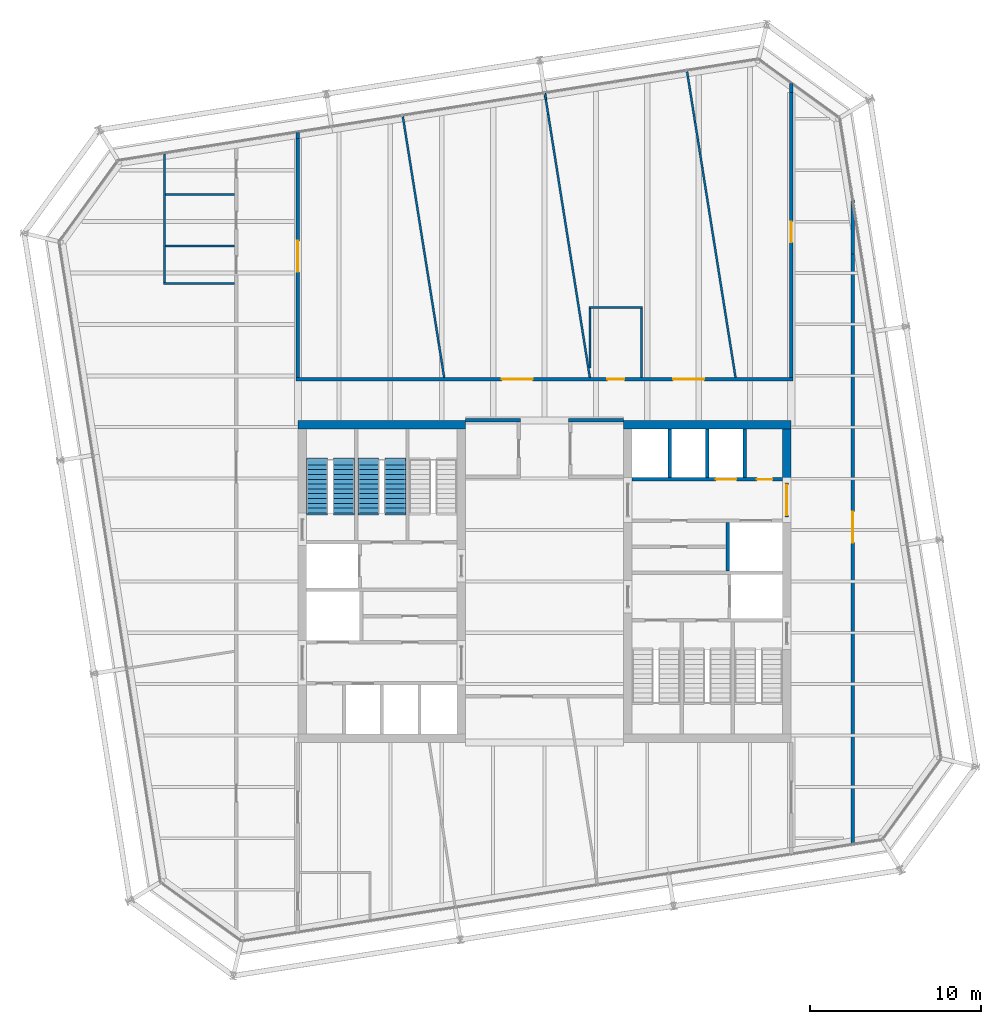
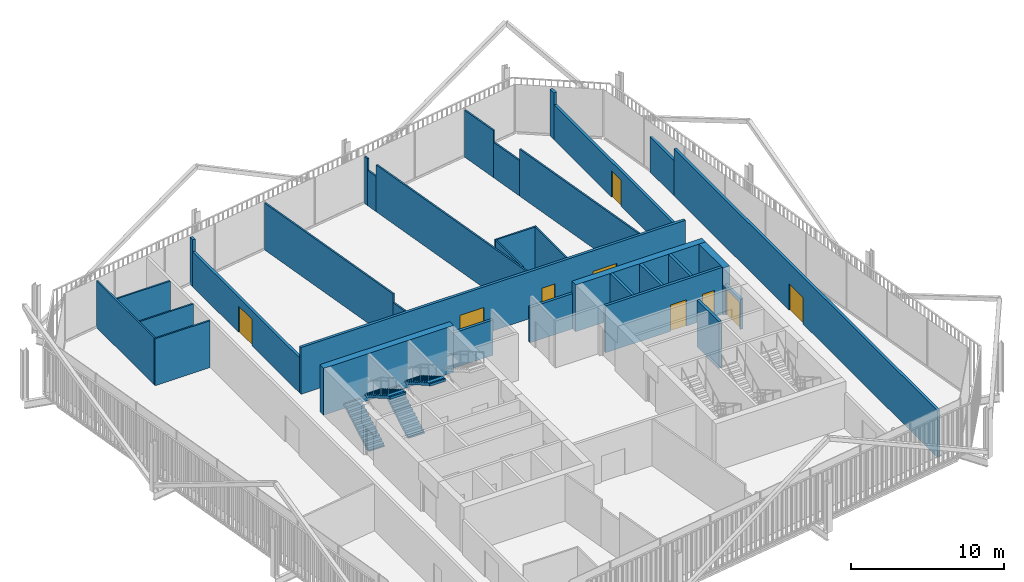
# One storey, part 19 of 21: 33 walls, 9 doors, 4 stair flights, 9 openings, 2 elements without a shape of their own.
"""IFC4 building model written with IfcOpenShell, lengths in metres."""

from ifc_helpers import new_model, si_unit, direction, frame, frame_2d, origin, place, context, subcontext, project, spatial, polyline, rectangle, outline, extrude, material, layer, layer_set, type_object, element, fill, aggregate, save


model = new_model("IFC4")

# Units and contexts
model_context = context("Model", 3, precision=1e-05, world=origin(), true_north=direction((0.0, 1.0)))
body_context = subcontext(model_context, "Body", "Model", "MODEL_VIEW")
ifc_project = project(units=[si_unit("LENGTHUNIT", "METRE"), si_unit("AREAUNIT", "SQUARE_METRE"), si_unit("VOLUMEUNIT", "CUBIC_METRE"), si_unit("PLANEANGLEUNIT", "RADIAN"), si_unit("MASSUNIT", "GRAM", prefix="KILO")], contexts=[model_context])

# Site, building, storey
site_placement = place(None, origin())
site = spatial("IfcSite", under=ifc_project, at=site_placement, CompositionType="ELEMENT")
building_placement = place(site_placement, origin())
building = spatial("IfcBuilding", under=site, at=building_placement, Name="Millrace Tower", CompositionType="ELEMENT")
storey_placement = place(building_placement, frame((0.0, 0.0, 255.199951171875)))
storey = spatial("IfcBuildingStorey", under=building, at=storey_placement, Name="L58", CompositionType="ELEMENT", Elevation=255.199951171875)

# Walls
ifc_material_1 = material(Name="Concrete C60", Category="concrete")
ifc_layer_1 = layer(ifc_material_1, 0.5)
ifc_layer_set_1 = layer_set([ifc_layer_1], Name="Concrete C60")
wall_type_1 = type_object("IfcWallType", Name="Core wall 500 Concrete C60", PredefinedType="SHEAR", material=ifc_layer_set_1)
for number, where, z_axis, x_axis, name in (
    (1, (-14.39990234375, 9.14990234375, 0.0), (0.0, 0.0, 1.0), (1.0, 0.0, 0.0), "Core wall W L58"),
    (2, (14.39990234375, 9.14990234375, 0.0), (0.0, 0.0, 1.0), (-1.0, 0.0, 0.0), "Core wall E L58"),
):
    element("IfcWall", number, at=place(storey_placement, frame(where, z_axis=z_axis, x_axis=x_axis)), inside=storey, type_object=wall_type_1, Name=name, PredefinedType="SHEAR", context=body_context, shape_type="SweptSolid", body=[
        extrude(rectangle(XDim=9.7998046875, YDim=0.5, at=frame_2d((4.89990234375, 0.0))), origin(), (0.0, 0.0, 1.0), 3.739990234375),
    ])
wall_1_placement = place(storey_placement, frame((14.14990234375, 8.89990234375, 0.0), z_axis=(0.0, 0.0, 1.0), x_axis=(0.0, -1.0, 0.0)))
element("IfcWall", 3, at=wall_1_placement, inside=storey, type_object=wall_type_1, Name="Core wall E L58", PredefinedType="SHEAR", context=body_context, shape_type="SweptSolid", body=[
    extrude(rectangle(XDim=3.14990234375, YDim=0.5, at=frame_2d((1.574951171875, 0.0))), origin(), (0.0, 0.0, 1.0), 3.739990234375),
])
ifc_material_2 = material(Name="Masonry partition, fire-rated", Category="masonry")
ifc_layer_2 = layer(ifc_material_2, 0.199951171875)
ifc_layer_set_2 = layer_set([ifc_layer_2], Name="Masonry partition, fire-rated")
wall_type_2 = type_object("IfcWallType", Name="Corridor wall 200", PredefinedType="PARTITIONING", material=ifc_layer_set_2)
for number, where, z_axis, x_axis, name in (
    (4, (-4.60009765625, 9.39990234375, 0.0), (0.0, 0.0, 1.0), (1.0, 0.0, 0.0), "Corridor wall L58"),
    (5, (1.39990234375, 9.39990234375, 0.0), (0.0, 0.0, 1.0), (1.0, 0.0, 0.0), "Corridor wall L58"),
):
    element("IfcWall", number, at=place(storey_placement, frame(where, z_axis=z_axis, x_axis=x_axis)), inside=storey, type_object=wall_type_2, Name=name, PredefinedType="PARTITIONING", context=body_context, shape_type="SweptSolid", body=[
        extrude(rectangle(XDim=3.2001953125, YDim=0.199951171875, at=frame_2d((1.60009765625, 0.0))), origin(), (0.0, 0.0, 1.0), 2.81298828125),
    ])

# Wall, openings, doors
wall_2_placement = place(storey_placement, frame((-14.5, 11.800048828125, 0.0), z_axis=(0.0, 0.0, 1.0), x_axis=(1.0, 0.0, 0.0)))
wall_2 = element("IfcWall", 6, at=wall_2_placement, inside=storey, type_object=wall_type_2, Name="Corridor wall L58", PredefinedType="PARTITIONING", context=body_context, shape_type="SweptSolid", body=[
    extrude(rectangle(XDim=29.0, YDim=0.199951171875, at=frame_2d((14.5, 0.0))), origin(), (0.0, 0.0, 1.0), 3.739990234375),
])
opening_1_placement = place(wall_2_placement, frame((12.009521484375, 0.0, 0.0)))
opening_1 = element("IfcOpeningElement", 7, at=opening_1_placement, cuts=wall_2, Name="Opening 58-P006", PredefinedType="OPENING", context=body_context, shape_type="SweptSolid", body=[
    extrude(rectangle(XDim=1.800048828125, YDim=2.10009765625, at=frame_2d((0.89990234375, 1.050048828125))), frame((0.0, 0.10986328125, 0.0), z_axis=(0.0, -1.0, 0.0), x_axis=(1.0, 0.0, 0.0)), (0.0, 0.0, 1.0), 0.219970703125),
])
opening_2_placement = place(wall_2_placement, frame((22.014404296875, 0.0, 0.0)))
opening_2 = element("IfcOpeningElement", 8, at=opening_2_placement, cuts=wall_2, Name="Opening 58-P007", PredefinedType="OPENING", context=body_context, shape_type="SweptSolid", body=[
    extrude(rectangle(XDim=1.800048828125, YDim=2.10009765625, at=frame_2d((0.89990234375, 1.050048828125))), frame((0.0, 0.10986328125, 0.0), z_axis=(0.0, -1.0, 0.0), x_axis=(1.0, 0.0, 0.0)), (0.0, 0.0, 1.0), 0.219970703125),
])
opening_3_placement = place(wall_2_placement, frame((18.162109375, 0.0, 0.0)))
opening_3 = element("IfcOpeningElement", 9, at=opening_3_placement, cuts=wall_2, Name="Opening 58-P008", PredefinedType="OPENING", context=body_context, shape_type="SweptSolid", body=[
    extrude(rectangle(XDim=1.0, YDim=2.10009765625, at=frame_2d((0.5, 1.050048828125))), frame((0.0, 0.10986328125, 0.0), z_axis=(0.0, -1.0, 0.0), x_axis=(1.0, 0.0, 0.0)), (0.0, 0.0, 1.0), 0.219970703125),
])
ifc_material_3 = material(Name="Steel door set, fire-rated", Category="steel")
door_type_1 = type_object("IfcDoorType", Name="Corridor door 1000 x 2100", OperationType="SINGLE_SWING_LEFT", PredefinedType="DOOR", material=ifc_material_3)
door_1_placement = place(opening_3_placement, origin())
door_1 = element("IfcDoor", 10, at=door_1_placement, inside=storey, type_object=door_type_1, Name="Door 58-P008", OperationType="SINGLE_SWING_RIGHT", OverallHeight=2.10009765625, OverallWidth=1.0, PredefinedType="DOOR", context=body_context, shape_type="SweptSolid", body=[
    extrude(rectangle(XDim=1.0, YDim=2.10009765625, at=frame_2d((0.5, 1.050048828125))), frame((0.0, 0.02490234375, 0.0), z_axis=(0.0, -1.0, 0.0), x_axis=(1.0, 0.0, 0.0)), (0.0, 0.0, 1.0), 0.050048828125),
])
fill(opening_3, door_1)
ifc_material_4 = material(Name="Steel door set, fire-rated", Category="steel")
door_type_2 = type_object("IfcDoorType", Name="Corridor door 1800 x 2100", OperationType="DOUBLE_DOOR_SINGLE_SWING", PredefinedType="DOOR", material=ifc_material_4)
door_2_placement = place(opening_1_placement, origin())
door_2 = element("IfcDoor", 11, at=door_2_placement, inside=storey, type_object=door_type_2, Name="Door 58-P006", OperationType="DOUBLE_DOOR_SINGLE_SWING", OverallHeight=2.10009765625, OverallWidth=1.800048828125, PredefinedType="DOOR", context=body_context, shape_type="SweptSolid", body=[
    extrude(rectangle(XDim=1.800048828125, YDim=2.10009765625, at=frame_2d((0.89990234375, 1.050048828125))), frame((0.0, 0.02490234375, 0.0), z_axis=(0.0, -1.0, 0.0), x_axis=(1.0, 0.0, 0.0)), (0.0, 0.0, 1.0), 0.050048828125),
])
fill(opening_1, door_2)
door_3_placement = place(opening_2_placement, origin())
door_3 = element("IfcDoor", 12, at=door_3_placement, inside=storey, type_object=door_type_2, Name="Door 58-P007", OperationType="DOUBLE_DOOR_SINGLE_SWING", OverallHeight=2.10009765625, OverallWidth=1.800048828125, PredefinedType="DOOR", context=body_context, shape_type="SweptSolid", body=[
    extrude(rectangle(XDim=1.800048828125, YDim=2.10009765625, at=frame_2d((0.89990234375, 1.050048828125))), frame((0.0, 0.02490234375, 0.0), z_axis=(0.0, -1.0, 0.0), x_axis=(1.0, 0.0, 0.0)), (0.0, 0.0, 1.0), 0.050048828125),
])
fill(opening_2, door_3)

# Wall, opening, door
wall_3_placement = place(storey_placement, frame((18.0, -15.304443359375, 0.0), z_axis=(0.0, 0.0, 1.0), x_axis=(0.0, 1.0, 0.0)))
wall_3 = element("IfcWall", 13, at=wall_3_placement, inside=storey, type_object=wall_type_2, Name="Corridor wall L58", PredefinedType="PARTITIONING", context=body_context, shape_type="SweptSolid", body=[
    extrude(rectangle(XDim=34.421630859375, YDim=0.199951171875, at=frame_2d((17.2109375, 0.0))), origin(), (0.0, 0.0, 1.0), 3.739990234375),
])
opening_4_placement = place(wall_3_placement, frame((17.56982421875, 0.0, 0.0)))
opening_4 = element("IfcOpeningElement", 14, at=opening_4_placement, cuts=wall_3, Name="Opening 58-P010", PredefinedType="OPENING", context=body_context, shape_type="SweptSolid", body=[
    extrude(rectangle(XDim=1.800048828125, YDim=2.10009765625, at=frame_2d((0.89990234375, 1.050048828125))), frame((0.0, 0.10986328125, 0.0), z_axis=(0.0, -1.0, 0.0), x_axis=(1.0, 0.0, 0.0)), (0.0, 0.0, 1.0), 0.219970703125),
])
door_4_placement = place(opening_4_placement, frame((1.800048828125, 0.0, 0.0), z_axis=(0.0, 0.0, 1.0), x_axis=(-1.0, 0.0, 0.0)))
door_4 = element("IfcDoor", 15, at=door_4_placement, inside=storey, type_object=door_type_2, Name="Door 58-P010", OperationType="DOUBLE_DOOR_SINGLE_SWING", OverallHeight=2.10009765625, OverallWidth=1.800048828125, PredefinedType="DOOR", context=body_context, shape_type="SweptSolid", body=[
    extrude(rectangle(XDim=1.800048828125, YDim=2.10009765625, at=frame_2d((0.89990234375, 1.050048828125))), frame((0.0, 0.02490234375, 0.0), z_axis=(0.0, -1.0, 0.0), x_axis=(1.0, 0.0, 0.0)), (0.0, 0.0, 1.0), 0.050048828125),
])
fill(opening_4, door_4)

# Wall
wall_4_placement = place(storey_placement, frame((18.0, 19.1171875, 0.0), z_axis=(0.0, 0.0, 1.0), x_axis=(0.0, 1.0, 0.0)))
element("IfcWall", 16, at=wall_4_placement, inside=storey, type_object=wall_type_2, Name="Corridor wall L58", PredefinedType="PARTITIONING", context=body_context, shape_type="SweptSolid", body=[
    extrude(rectangle(XDim=3.137451171875, YDim=0.199951171875, at=frame_2d((1.56884765625, 0.0))), origin(), (0.0, 0.0, 1.0), 2.81298828125),
])

# Wall, opening, door
wall_5_placement = place(storey_placement, frame((14.39990234375, 11.89990234375, 0.0), z_axis=(0.0, 0.0, 1.0), x_axis=(0.0, 1.0, 0.0)))
wall_5 = element("IfcWall", 17, at=wall_5_placement, inside=storey, type_object=wall_type_2, Name="Corridor wall L58", PredefinedType="PARTITIONING", context=body_context, shape_type="SweptSolid", body=[
    extrude(rectangle(XDim=16.640869140625, YDim=0.199951171875, at=frame_2d((8.3203125, 0.0))), origin(), (0.0, 0.0, 1.0), 2.792724609375),
])
opening_5_placement = place(wall_5_placement, frame((7.89794921875, 0.0, 0.0)))
opening_5 = element("IfcOpeningElement", 18, at=opening_5_placement, cuts=wall_5, Name="Opening 58-P009", PredefinedType="OPENING", context=body_context, shape_type="SweptSolid", body=[
    extrude(rectangle(XDim=1.199951171875, YDim=2.10009765625, at=frame_2d((0.60009765625, 1.050048828125))), frame((0.0, 0.10986328125, 0.0), z_axis=(0.0, -1.0, 0.0), x_axis=(1.0, 0.0, 0.0)), (0.0, 0.0, 1.0), 0.219970703125),
])
ifc_material_5 = material(Name="Steel door set, fire-rated", Category="steel")
door_type_3 = type_object("IfcDoorType", Name="Corridor door 1200 x 2100", OperationType="SINGLE_SWING_LEFT", PredefinedType="DOOR", material=ifc_material_5)
door_5_placement = place(opening_5_placement, origin())
door_5 = element("IfcDoor", 19, at=door_5_placement, inside=storey, type_object=door_type_3, Name="Door 58-P009", OperationType="SINGLE_SWING_LEFT", OverallHeight=2.10009765625, OverallWidth=1.199951171875, PredefinedType="DOOR", context=body_context, shape_type="SweptSolid", body=[
    extrude(rectangle(XDim=1.199951171875, YDim=2.10009765625, at=frame_2d((0.60009765625, 1.050048828125))), frame((0.0, 0.02490234375, 0.0), z_axis=(0.0, -1.0, 0.0), x_axis=(1.0, 0.0, 0.0)), (0.0, 0.0, 1.0), 0.050048828125),
])
fill(opening_5, door_5)

# Wall
wall_6_placement = place(storey_placement, frame((14.39990234375, 28.540771484375, 0.0), z_axis=(0.0, 0.0, 1.0), x_axis=(0.0, 1.0, 0.0)))
element("IfcWall", 20, at=wall_6_placement, inside=storey, type_object=wall_type_2, Name="Corridor wall L58", PredefinedType="PARTITIONING", context=body_context, shape_type="SweptSolid", body=[
    extrude(rectangle(XDim=0.51708984375, YDim=0.199951171875, at=frame_2d((0.258544921875, 0.0))), origin(), (0.0, 0.0, 1.0), 3.739990234375),
])

# Wall, opening, door
wall_7_placement = place(storey_placement, frame((-14.39990234375, 11.89990234375, 0.0), z_axis=(0.0, 0.0, 1.0), x_axis=(0.0, 1.0, 0.0)))
wall_7 = element("IfcWall", 21, at=wall_7_placement, inside=storey, type_object=wall_type_2, Name="Corridor wall L58", PredefinedType="PARTITIONING", context=body_context, shape_type="SweptSolid", body=[
    extrude(rectangle(XDim=13.94873046875, YDim=0.199951171875, at=frame_2d((6.974365234375, 0.0))), origin(), (0.0, 0.0, 1.0), 2.792724609375),
])
opening_6_placement = place(wall_7_placement, frame((6.174072265625, 0.0, 0.0)))
opening_6 = element("IfcOpeningElement", 22, at=opening_6_placement, cuts=wall_7, Name="Opening 58-P005", PredefinedType="OPENING", context=body_context, shape_type="SweptSolid", body=[
    extrude(rectangle(XDim=1.800048828125, YDim=2.10009765625, at=frame_2d((0.89990234375, 1.050048828125))), frame((0.0, 0.10986328125, 0.0), z_axis=(0.0, -1.0, 0.0), x_axis=(1.0, 0.0, 0.0)), (0.0, 0.0, 1.0), 0.219970703125),
])
door_6_placement = place(opening_6_placement, frame((1.800048828125, 0.0, 0.0), z_axis=(0.0, 0.0, 1.0), x_axis=(-1.0, 0.0, 0.0)))
door_6 = element("IfcDoor", 23, at=door_6_placement, inside=storey, type_object=door_type_2, Name="Door 58-P005", OperationType="DOUBLE_DOOR_SINGLE_SWING", OverallHeight=2.10009765625, OverallWidth=1.800048828125, PredefinedType="DOOR", context=body_context, shape_type="SweptSolid", body=[
    extrude(rectangle(XDim=1.800048828125, YDim=2.10009765625, at=frame_2d((0.89990234375, 1.050048828125))), frame((0.0, 0.02490234375, 0.0), z_axis=(0.0, -1.0, 0.0), x_axis=(1.0, 0.0, 0.0)), (0.0, 0.0, 1.0), 0.050048828125),
])
fill(opening_6, door_6)

# Wall
wall_8_placement = place(storey_placement, frame((-14.39990234375, 25.8486328125, 0.0), z_axis=(0.0, 0.0, 1.0), x_axis=(0.0, 1.0, 0.0)))
element("IfcWall", 24, at=wall_8_placement, inside=storey, type_object=wall_type_2, Name="Corridor wall L58", PredefinedType="PARTITIONING", context=body_context, shape_type="SweptSolid", body=[
    extrude(rectangle(XDim=0.349609375, YDim=0.199951171875, at=frame_2d((0.1748046875, 0.0))), origin(), (0.0, 0.0, 1.0), 3.739990234375),
])

# Wall, openings, doors
ifc_material_6 = material(Name="Masonry partition, fire-rated", Category="masonry")
ifc_layer_3 = layer(ifc_material_6, 0.199951171875)
ifc_layer_set_3 = layer_set([ifc_layer_3], Name="Masonry partition, fire-rated")
wall_type_3 = type_object("IfcWallType", Name="Lift shaft wall 200", PredefinedType="PARTITIONING", material=ifc_layer_set_3)
wall_9_placement = place(storey_placement, frame((13.89990234375, 5.949951171875, 0.0), z_axis=(0.0, 0.0, 1.0), x_axis=(-1.0, 0.0, 0.0)))
wall_9 = element("IfcWall", 25, at=wall_9_placement, inside=storey, type_object=wall_type_3, Name="Lift shaft wall E L58", PredefinedType="PARTITIONING", context=body_context, shape_type="SweptSolid", body=[
    extrude(rectangle(XDim=8.7998046875, YDim=0.199951171875, at=frame_2d((4.39990234375, 0.0))), origin(), (0.0, 0.0, 1.0), 3.739990234375),
])
opening_7_placement = place(wall_9_placement, frame((2.699951171875, 0.0, 0.0)))
opening_7 = element("IfcOpeningElement", 26, at=opening_7_placement, cuts=wall_9, Name="Opening 58-LD10", PredefinedType="OPENING", context=body_context, shape_type="SweptSolid", body=[
    extrude(rectangle(XDim=1.199951171875, YDim=2.10009765625, at=frame_2d((0.60009765625, 1.050048828125))), frame((0.0, 0.10986328125, 0.0), z_axis=(0.0, -1.0, 0.0), x_axis=(1.0, 0.0, 0.0)), (0.0, 0.0, 1.0), 0.219970703125),
])
opening_8_placement = place(wall_9_placement, frame((0.60009765625, 0.0, 0.0)))
opening_8 = element("IfcOpeningElement", 27, at=opening_8_placement, cuts=wall_9, Name="Opening 58-C014", PredefinedType="OPENING", context=body_context, shape_type="SweptSolid", body=[
    extrude(rectangle(XDim=0.89990234375, YDim=2.10009765625, at=frame_2d((0.449951171875, 1.050048828125))), frame((0.0, 0.10986328125, 0.0), z_axis=(0.0, -1.0, 0.0), x_axis=(1.0, 0.0, 0.0)), (0.0, 0.0, 1.0), 0.219970703125),
])
ifc_material_7 = material(Name="Stainless steel, fire-rated", Category="steel")
door_type_4 = type_object("IfcDoorType", Name="Lift landing door 1200 x 2100", OperationType="DOUBLE_DOOR_SLIDING", PredefinedType="DOOR", material=ifc_material_7)
door_7_placement = place(opening_7_placement, origin())
door_7 = element("IfcDoor", 28, at=door_7_placement, inside=storey, type_object=door_type_4, Name="Lift landing door LF10 L58", OperationType="DOUBLE_DOOR_SLIDING", OverallHeight=2.10009765625, OverallWidth=1.199951171875, PredefinedType="DOOR", context=body_context, shape_type="SweptSolid", body=[
    extrude(rectangle(XDim=1.199951171875, YDim=2.10009765625, at=frame_2d((0.60009765625, 1.050048828125))), frame((0.0, 0.02490234375, 0.0), z_axis=(0.0, -1.0, 0.0), x_axis=(1.0, 0.0, 0.0)), (0.0, 0.0, 1.0), 0.050048828125),
])
fill(opening_7, door_7)
ifc_material_8 = material(Name="Steel door, fire-rated", Category="steel")
door_type_5 = type_object("IfcDoorType", Name="Service room door 900 x 2100", OperationType="SINGLE_SWING_LEFT", PredefinedType="DOOR", material=ifc_material_8)
door_8_placement = place(opening_8_placement, frame((0.89990234375, 0.0, 0.0), z_axis=(0.0, 0.0, 1.0), x_axis=(-1.0, 0.0, 0.0)))
door_8 = element("IfcDoor", 29, at=door_8_placement, inside=storey, type_object=door_type_5, Name="Service room door 58-C014", OperationType="SINGLE_SWING_RIGHT", OverallHeight=2.10009765625, OverallWidth=0.89990234375, PredefinedType="DOOR", context=body_context, shape_type="SweptSolid", body=[
    extrude(rectangle(XDim=0.89990234375, YDim=2.10009765625, at=frame_2d((0.449951171875, 1.050048828125))), frame((0.0, 0.02490234375, 0.0), z_axis=(0.0, -1.0, 0.0), x_axis=(1.0, 0.0, 0.0)), (0.0, 0.0, 1.0), 0.050048828125),
])
fill(opening_8, door_8)

# Walls
for number, where, z_axis, x_axis, name in (
    (30, (11.699951171875, 8.89990234375, 0.0), (0.0, 0.0, 1.0), (0.0, -1.0, 0.0), "Lift shaft wall E L58"),
    (31, (9.5, 8.89990234375, 0.0), (0.0, 0.0, 1.0), (0.0, -1.0, 0.0), "Lift shaft wall E L58"),
    (32, (7.300048828125, 8.89990234375, 0.0), (0.0, 0.0, 1.0), (0.0, -1.0, 0.0), "Lift shaft wall E L58"),
    (33, (10.699951171875, 3.449951171875, 0.0), (0.0, 0.0, 1.0), (0.0, -1.0, 0.0), "Lift shaft wall E L58"),
):
    element("IfcWall", number, at=place(storey_placement, frame(where, z_axis=z_axis, x_axis=x_axis)), inside=storey, type_object=wall_type_3, Name=name, PredefinedType="PARTITIONING", context=body_context, shape_type="SweptSolid", body=[
        extrude(rectangle(XDim=2.849853515625, YDim=0.199951171875, at=frame_2d((1.4248046875, 0.0))), origin(), (0.0, 0.0, 1.0), 3.739990234375),
    ])

# Wall, opening, door
ifc_material_9 = material(Name="Masonry partition, fire-rated", Category="masonry")
ifc_layer_4 = layer(ifc_material_9, 0.199951171875)
ifc_layer_set_4 = layer_set([ifc_layer_4], Name="Masonry partition, fire-rated")
wall_type_4 = type_object("IfcWallType", Name="Lobby wall 200", PredefinedType="PARTITIONING", material=ifc_layer_set_4)
wall_10_placement = place(storey_placement, frame((14.14990234375, 5.75, 0.0), z_axis=(0.0, 0.0, 1.0), x_axis=(0.0, -1.0, 0.0)))
wall_10 = element("IfcWall", 34, at=wall_10_placement, inside=storey, type_object=wall_type_4, Name="Lobby wall E L58", PredefinedType="PARTITIONING", context=body_context, shape_type="SweptSolid", body=[
    extrude(rectangle(XDim=2.0, YDim=0.199951171875, at=frame_2d((1.0, 0.0))), origin(), (0.0, 0.0, 1.0), 2.400146484375),
])
opening_9_placement = place(wall_10_placement, frame((0.10009765625, 0.0, 0.0)))
opening_9 = element("IfcOpeningElement", 35, at=opening_9_placement, cuts=wall_10, Name="Opening 58-C010", PredefinedType="OPENING", context=body_context, shape_type="SweptSolid", body=[
    extrude(rectangle(XDim=1.800048828125, YDim=2.10009765625, at=frame_2d((0.89990234375, 1.050048828125))), frame((0.0, 0.10986328125, 0.0), z_axis=(0.0, -1.0, 0.0), x_axis=(1.0, 0.0, 0.0)), (0.0, 0.0, 1.0), 0.219970703125),
])
ifc_material_10 = material(Name="Steel door, fire-rated", Category="steel")
door_type_6 = type_object("IfcDoorType", Name="Lobby door 1800 x 2100", OperationType="DOUBLE_DOOR_SINGLE_SWING", PredefinedType="DOOR", material=ifc_material_10)
door_9_placement = place(opening_9_placement, origin())
door_9 = element("IfcDoor", 36, at=door_9_placement, inside=storey, type_object=door_type_6, Name="Lobby door 58-C010", OperationType="DOUBLE_DOOR_SINGLE_SWING", OverallHeight=2.10009765625, OverallWidth=1.800048828125, PredefinedType="DOOR", context=body_context, shape_type="SweptSolid", body=[
    extrude(rectangle(XDim=1.800048828125, YDim=2.10009765625, at=frame_2d((0.89990234375, 1.050048828125))), frame((0.0, 0.02490234375, 0.0), z_axis=(0.0, -1.0, 0.0), x_axis=(1.0, 0.0, 0.0)), (0.0, 0.0, 1.0), 0.050048828125),
])
fill(opening_9, door_9)

# Walls
ifc_material_11 = material(Name="Gypsum board partition")
ifc_layer_5 = layer(ifc_material_11, 0.1201171875)
ifc_layer_set_5 = layer_set([ifc_layer_5], Name="Gypsum board partition")
wall_type_5 = type_object("IfcWallType", Name="Partition wall 120", PredefinedType="PARTITIONING", material=ifc_layer_set_5)
wall_11_placement = place(storey_placement, frame((-8.27685546875, 27.16796875, 0.0), z_axis=(0.0, 0.0, 1.0), x_axis=(0.156426233908, -0.987689644243, 0.0)))
element("IfcWall", 37, at=wall_11_placement, inside=storey, type_object=wall_type_5, Name="Partition wall L58", PredefinedType="PARTITIONING", context=body_context, shape_type="SweptSolid", body=[
    extrude(rectangle(XDim=13.356689453125, YDim=0.1201171875, at=frame_2d((6.67822265625, 0.0))), origin(), (0.0, 0.0, 1.0), 3.739990234375),
])
wall_12_placement = place(storey_placement, frame((-6.1875, 13.9755859375, 0.0), z_axis=(0.0, 0.0, 1.0), x_axis=(0.15639182904, -0.987695092531, 0.0)))
element("IfcWall", 38, at=wall_12_placement, inside=storey, type_object=wall_type_5, Name="Partition wall L58", PredefinedType="PARTITIONING", context=body_context, shape_type="SweptSolid", body=[
    extrude(rectangle(XDim=2.102783203125, YDim=0.1201171875, at=frame_2d((1.05126953125, 0.0))), origin(), (0.0, 0.0, 1.0), 3.046630859375),
])
wall_13_placement = place(storey_placement, frame((0.020263671875, 28.482177734375, 0.0), z_axis=(0.0, 0.0, 1.0), x_axis=(0.155999489422, -0.987757135788, 0.0)))
element("IfcWall", 39, at=wall_13_placement, inside=storey, type_object=wall_type_5, Name="Partition wall L58", PredefinedType="PARTITIONING", context=body_context, shape_type="SweptSolid", body=[
    extrude(rectangle(XDim=0.339599609375, YDim=0.1201171875, at=frame_2d((0.169921875, 0.0))), origin(), (0.0, 0.0, 1.0), 3.739990234375),
])
wall_14_placement = place(storey_placement, frame((0.0732421875, 28.146728515625, 0.0), z_axis=(0.0, 0.0, 1.0), x_axis=(0.156454153155, -0.987685222103, 0.0)))
element("IfcWall", 40, at=wall_14_placement, inside=storey, type_object=wall_type_5, Name="Partition wall L58", PredefinedType="PARTITIONING", context=body_context, shape_type="SweptSolid", body=[
    extrude(rectangle(XDim=0.892578125, YDim=0.1201171875, at=frame_2d((0.4462890625, 0.0))), origin(), (0.0, 0.0, 1.0), 2.81298828125),
])
wall_15_placement = place(storey_placement, frame((0.212890625, 27.26513671875, 0.0), z_axis=(0.0, 0.0, 1.0), x_axis=(0.156405760939, -0.987692886451, 0.0)))
element("IfcWall", 41, at=wall_15_placement, inside=storey, type_object=wall_type_5, Name="Partition wall L58", PredefinedType="PARTITIONING", context=body_context, shape_type="SweptSolid", body=[
    extrude(rectangle(XDim=15.557861328125, YDim=0.1201171875, at=frame_2d((7.77880859375, 0.0))), origin(), (0.0, 0.0, 1.0), 3.739990234375),
])
wall_16_placement = place(storey_placement, frame((8.316162109375, 29.796142578125, 0.0), z_axis=(0.0, 0.0, 1.0), x_axis=(0.156487443133, -0.987679948233, 0.0)))
element("IfcWall", 42, at=wall_16_placement, inside=storey, type_object=wall_type_5, Name="Partition wall L58", PredefinedType="PARTITIONING", context=body_context, shape_type="SweptSolid", body=[
    extrude(rectangle(XDim=3.009521484375, YDim=0.1201171875, at=frame_2d((1.5048828125, 0.0))), origin(), (0.0, 0.0, 1.0), 3.739990234375),
])
wall_17_placement = place(storey_placement, frame((8.787109375, 26.82373046875, 0.0), z_axis=(0.0, 0.0, 1.0), x_axis=(0.156436996348, -0.987687939672, 0.0)))
element("IfcWall", 43, at=wall_17_placement, inside=storey, type_object=wall_type_5, Name="Partition wall L58", PredefinedType="PARTITIONING", context=body_context, shape_type="SweptSolid", body=[
    extrude(rectangle(XDim=2.7216796875, YDim=0.1201171875, at=frame_2d((1.36083984375, 0.0))), origin(), (0.0, 0.0, 1.0), 2.81298828125),
])
wall_18_placement = place(storey_placement, frame((9.212890625, 24.135498046875, 0.0), z_axis=(0.0, 0.0, 1.0), x_axis=(0.156462436553, -0.987683909937, 0.0)))
element("IfcWall", 44, at=wall_18_placement, inside=storey, type_object=wall_type_5, Name="Partition wall L58", PredefinedType="PARTITIONING", context=body_context, shape_type="SweptSolid", body=[
    extrude(rectangle(XDim=12.389404296875, YDim=0.1201171875, at=frame_2d((6.19482421875, 0.0))), origin(), (0.0, 0.0, 1.0), 3.739990234375),
])
wall_19_placement = place(storey_placement, frame((2.60205078125, 16.0, 0.0), z_axis=(0.0, 0.0, 1.0), x_axis=(1.0, 0.0, 0.0)))
element("IfcWall", 45, at=wall_19_placement, inside=storey, type_object=wall_type_5, Name="Partition wall L58", PredefinedType="PARTITIONING", context=body_context, shape_type="SweptSolid", body=[
    extrude(rectangle(XDim=3.119873046875, YDim=0.1201171875, at=frame_2d((1.56005859375, 0.0))), origin(), (0.0, 0.0, 1.0), 3.739990234375),
])
wall_20_placement = place(storey_placement, frame((-22.260009765625, 17.376953125, 0.0), z_axis=(0.0, 0.0, 1.0), x_axis=(1.0, 0.0, 0.0)))
element("IfcWall", 46, at=wall_20_placement, inside=storey, type_object=wall_type_5, Name="Partition wall L58", PredefinedType="PARTITIONING", context=body_context, shape_type="SweptSolid", body=[
    extrude(rectangle(XDim=4.159912109375, YDim=0.1201171875, at=frame_2d((2.080078125, 0.0))), origin(), (0.0, 0.0, 1.0), 3.739990234375),
])
for number, where, z_axis, x_axis, name in (
    (47, (-22.139892578125, 19.576904296875, 0.0), (0.0, 0.0, 1.0), (1.0, 0.0, 0.0), "Partition wall L58"),
    (48, (-22.139892578125, 22.576904296875, 0.0), (0.0, 0.0, 1.0), (1.0, 0.0, 0.0), "Partition wall L58"),
):
    element("IfcWall", number, at=place(storey_placement, frame(where, z_axis=z_axis, x_axis=x_axis)), inside=storey, type_object=wall_type_5, Name=name, PredefinedType="PARTITIONING", context=body_context, shape_type="SweptSolid", body=[
        extrude(rectangle(XDim=4.039794921875, YDim=0.1201171875, at=frame_2d((2.02001953125, 0.0))), origin(), (0.0, 0.0, 1.0), 3.739990234375),
    ])
wall_21_placement = place(storey_placement, frame((5.662109375, 11.89990234375, 0.0), z_axis=(0.0, 0.0, 1.0), x_axis=(0.0, 1.0, 0.0)))
element("IfcWall", 49, at=wall_21_placement, inside=storey, type_object=wall_type_5, Name="Partition wall L58", PredefinedType="PARTITIONING", context=body_context, shape_type="SweptSolid", body=[
    extrude(rectangle(XDim=4.0400390625, YDim=0.1201171875, at=frame_2d((2.02001953125, 0.0))), origin(), (0.0, 0.0, 1.0), 3.739990234375),
])
wall_22_placement = place(storey_placement, frame((2.662109375, 12.4677734375, 0.0), z_axis=(0.0, 0.0, 1.0), x_axis=(0.0, 1.0, 0.0)))
element("IfcWall", 50, at=wall_22_placement, inside=storey, type_object=wall_type_5, Name="Partition wall L58", PredefinedType="PARTITIONING", context=body_context, shape_type="SweptSolid", body=[
    extrude(rectangle(XDim=3.47216796875, YDim=0.1201171875, at=frame_2d((1.736083984375, 0.0))), origin(), (0.0, 0.0, 1.0), 3.739990234375),
])
wall_23_placement = place(storey_placement, frame((-22.199951171875, 17.43701171875, 0.0), z_axis=(0.0, 0.0, 1.0), x_axis=(0.0, 1.0, 0.0)))
element("IfcWall", 51, at=wall_23_placement, inside=storey, type_object=wall_type_5, Name="Partition wall L58", PredefinedType="PARTITIONING", context=body_context, shape_type="SweptSolid", body=[
    extrude(rectangle(XDim=7.525634765625, YDim=0.1201171875, at=frame_2d((3.7626953125, 0.0))), origin(), (0.0, 0.0, 1.0), 3.739990234375),
])

# Stair, stair flights
ifc_material_12 = material(Name="Concrete C35", Category="concrete")
stair_type = type_object("IfcStairType", Name="Exit stair", PredefinedType="HALF_TURN_STAIR", material=ifc_material_12)
placement = place(storey_placement, origin())
stair_1 = element("IfcStair", 52, at=placement, inside=storey, type_object=stair_type, Name="Stair 1 W L58", PredefinedType="HALF_TURN_STAIR")
ifc_material_13 = material(Name="Concrete C35", Category="concrete")
stair_flight_type = type_object("IfcStairFlightType", Name="Exit stair flight", PredefinedType="STRAIGHT", material=ifc_material_13)
stair_flight_1_placement = place(storey_placement, frame((-13.2900390625, 4.0, 0.0), z_axis=(0.0, 0.0, 1.0), x_axis=(0.0, 1.0, 0.0)))
stair_flight_1 = element("IfcStairFlight", 53, at=stair_flight_1_placement, type_object=stair_flight_type, Name="ST12 flight 1", NumberOfRisers=12, NumberOfTreads=11, PredefinedType="STRAIGHT", RiserHeight=0.1625, TreadLength=0.28, context=body_context, shape_type="SweptSolid", body=[
    extrude(outline(polyline([(-0.1201171875, -0.0400390625), (-0.1201171875, 0.0), (0.0, 0.0), (0.0, 0.16259765625), (0.280029296875, 0.16259765625), (0.280029296875, 0.324951171875), (0.56005859375, 0.324951171875), (0.56005859375, 0.487548828125), (0.840087890625, 0.487548828125), (0.840087890625, 0.64990234375), (1.1201171875, 0.64990234375), (1.1201171875, 0.8125), (1.39990234375, 0.8125), (1.39990234375, 0.97509765625), (1.679931640625, 0.97509765625), (1.679931640625, 1.137451171875), (1.9599609375, 1.137451171875), (1.9599609375, 1.300048828125), (2.239990234375, 1.300048828125), (2.239990234375, 1.46240234375), (2.52001953125, 1.46240234375), (2.52001953125, 1.625), (2.800048828125, 1.625), (2.800048828125, 1.78759765625), (3.080078125, 1.78759765625), (3.080078125, 1.8076171875), (3.199951171875, 1.8076171875), (3.199951171875, 1.6142578125), (3.080078125, 1.6142578125), (0.298583984375, 0.0), (0.298583984375, -0.0400390625), (-0.1201171875, -0.0400390625)])), frame((0.0, 0.60986328125, 0.0), z_axis=(0.0, -1.0, 0.0), x_axis=(1.0, 0.0, 0.0)), (0.0, 0.0, 1.0), 1.219970703125),
])
stair_flight_2_placement = place(storey_placement, frame((-11.7099609375, 7.080078125, 1.949951171875), z_axis=(0.0, 0.0, 1.0), x_axis=(0.0, -1.0, 0.0)))
stair_flight_2 = element("IfcStairFlight", 54, at=stair_flight_2_placement, type_object=stair_flight_type, Name="ST12 flight 2", NumberOfRisers=12, NumberOfTreads=11, PredefinedType="STRAIGHT", RiserHeight=0.1625, TreadLength=0.28, context=body_context, shape_type="SweptSolid", body=[
    extrude(outline(polyline([(-0.1201171875, -0.0400390625), (-0.1201171875, 0.0), (0.0, 0.0), (0.0, 0.16259765625), (0.280029296875, 0.16259765625), (0.280029296875, 0.324951171875), (0.56005859375, 0.324951171875), (0.56005859375, 0.487548828125), (0.840087890625, 0.487548828125), (0.840087890625, 0.64990234375), (1.1201171875, 0.64990234375), (1.1201171875, 0.8125), (1.39990234375, 0.8125), (1.39990234375, 0.97509765625), (1.679931640625, 0.97509765625), (1.679931640625, 1.137451171875), (1.9599609375, 1.137451171875), (1.9599609375, 1.300048828125), (2.239990234375, 1.300048828125), (2.239990234375, 1.46240234375), (2.52001953125, 1.46240234375), (2.52001953125, 1.625), (2.800048828125, 1.625), (2.800048828125, 1.78759765625), (3.080078125, 1.78759765625), (3.080078125, 1.8076171875), (3.199951171875, 1.8076171875), (3.199951171875, 1.6142578125), (3.080078125, 1.6142578125), (0.298583984375, 0.0), (0.298583984375, -0.0400390625), (-0.1201171875, -0.0400390625)])), frame((0.0, 0.60986328125, 0.0), z_axis=(0.0, -1.0, 0.0), x_axis=(1.0, 0.0, 0.0)), (0.0, 0.0, 1.0), 1.219970703125),
])
aggregate(stair_1, [stair_flight_1, stair_flight_2])

stair_2 = element("IfcStair", 55, at=placement, inside=storey, type_object=stair_type, Name="Stair 2 W L58", PredefinedType="HALF_TURN_STAIR")
stair_flight_3_placement = place(storey_placement, frame((-10.2900390625, 4.0, 0.0), z_axis=(0.0, 0.0, 1.0), x_axis=(0.0, 1.0, 0.0)))
stair_flight_3 = element("IfcStairFlight", 56, at=stair_flight_3_placement, type_object=stair_flight_type, Name="ST12 flight 1", NumberOfRisers=12, NumberOfTreads=11, PredefinedType="STRAIGHT", RiserHeight=0.1625, TreadLength=0.28, context=body_context, shape_type="SweptSolid", body=[
    extrude(outline(polyline([(-0.1201171875, -0.0400390625), (-0.1201171875, 0.0), (0.0, 0.0), (0.0, 0.16259765625), (0.280029296875, 0.16259765625), (0.280029296875, 0.324951171875), (0.56005859375, 0.324951171875), (0.56005859375, 0.487548828125), (0.840087890625, 0.487548828125), (0.840087890625, 0.64990234375), (1.1201171875, 0.64990234375), (1.1201171875, 0.8125), (1.39990234375, 0.8125), (1.39990234375, 0.97509765625), (1.679931640625, 0.97509765625), (1.679931640625, 1.137451171875), (1.9599609375, 1.137451171875), (1.9599609375, 1.300048828125), (2.239990234375, 1.300048828125), (2.239990234375, 1.46240234375), (2.52001953125, 1.46240234375), (2.52001953125, 1.625), (2.800048828125, 1.625), (2.800048828125, 1.78759765625), (3.080078125, 1.78759765625), (3.080078125, 1.8076171875), (3.199951171875, 1.8076171875), (3.199951171875, 1.6142578125), (3.080078125, 1.6142578125), (0.298583984375, 0.0), (0.298583984375, -0.0400390625), (-0.1201171875, -0.0400390625)])), frame((0.0, 0.60986328125, 0.0), z_axis=(0.0, -1.0, 0.0), x_axis=(1.0, 0.0, 0.0)), (0.0, 0.0, 1.0), 1.219970703125),
])
stair_flight_4_placement = place(storey_placement, frame((-8.7099609375, 7.080078125, 1.949951171875), z_axis=(0.0, 0.0, 1.0), x_axis=(0.0, -1.0, 0.0)))
stair_flight_4 = element("IfcStairFlight", 57, at=stair_flight_4_placement, type_object=stair_flight_type, Name="ST12 flight 2", NumberOfRisers=12, NumberOfTreads=11, PredefinedType="STRAIGHT", RiserHeight=0.1625, TreadLength=0.28, context=body_context, shape_type="SweptSolid", body=[
    extrude(outline(polyline([(-0.1201171875, -0.0400390625), (-0.1201171875, 0.0), (0.0, 0.0), (0.0, 0.16259765625), (0.280029296875, 0.16259765625), (0.280029296875, 0.324951171875), (0.56005859375, 0.324951171875), (0.56005859375, 0.487548828125), (0.840087890625, 0.487548828125), (0.840087890625, 0.64990234375), (1.1201171875, 0.64990234375), (1.1201171875, 0.8125), (1.39990234375, 0.8125), (1.39990234375, 0.97509765625), (1.679931640625, 0.97509765625), (1.679931640625, 1.137451171875), (1.9599609375, 1.137451171875), (1.9599609375, 1.300048828125), (2.239990234375, 1.300048828125), (2.239990234375, 1.46240234375), (2.52001953125, 1.46240234375), (2.52001953125, 1.625), (2.800048828125, 1.625), (2.800048828125, 1.78759765625), (3.080078125, 1.78759765625), (3.080078125, 1.8076171875), (3.199951171875, 1.8076171875), (3.199951171875, 1.6142578125), (3.080078125, 1.6142578125), (0.298583984375, 0.0), (0.298583984375, -0.0400390625), (-0.1201171875, -0.0400390625)])), frame((0.0, 0.60986328125, 0.0), z_axis=(0.0, -1.0, 0.0), x_axis=(1.0, 0.0, 0.0)), (0.0, 0.0, 1.0), 1.219970703125),
])
aggregate(stair_2, [stair_flight_3, stair_flight_4])

save(model, "model.ifc")
